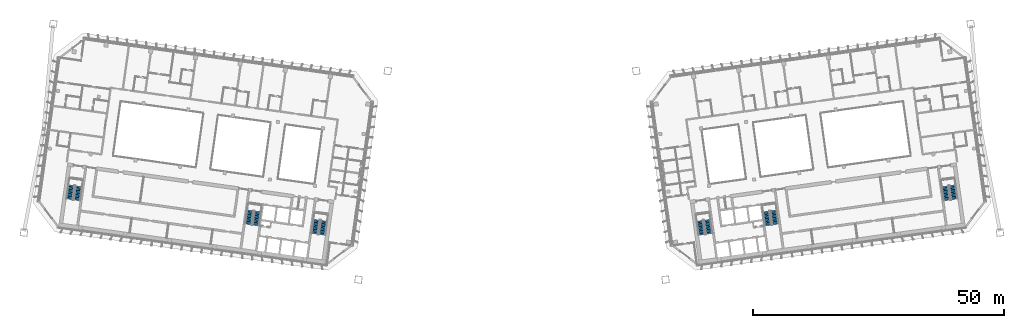
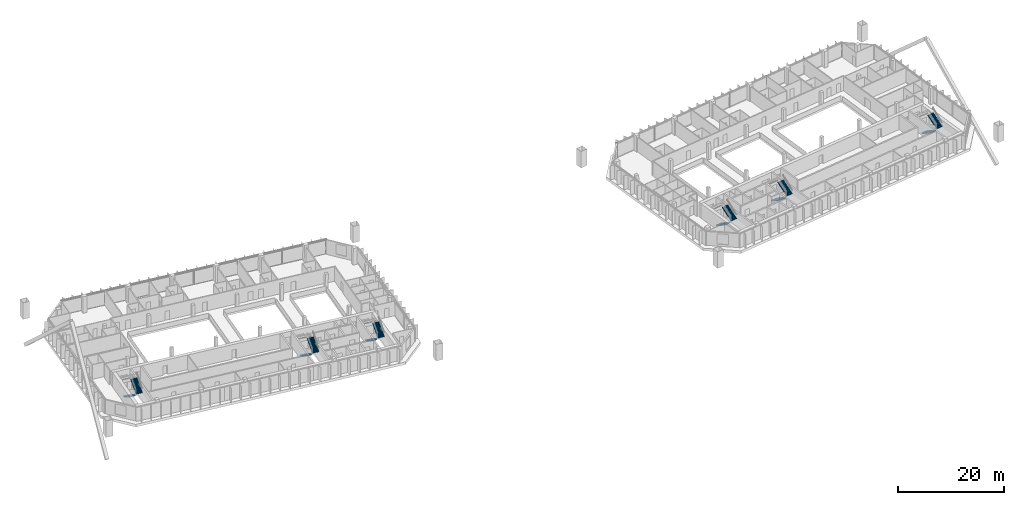
# One storey, part 25 of 28: 12 stair flights, 6 elements without a shape of their own.
"""IFC4 building model written with IfcOpenShell, lengths in metres."""

from ifc_helpers import new_model, si_unit, direction, frame, origin, place, context, subcontext, project, spatial, polyline, outline, extrude, material, type_object, element, aggregate, save


model = new_model("IFC4")

# Units and contexts
model_context = context("Model", 3, precision=1e-05, world=origin(), true_north=direction((0.0, 1.0)))
body_context = subcontext(model_context, "Body", "Model", "MODEL_VIEW")
ifc_project = project(units=[si_unit("LENGTHUNIT", "METRE"), si_unit("AREAUNIT", "SQUARE_METRE"), si_unit("VOLUMEUNIT", "CUBIC_METRE"), si_unit("PLANEANGLEUNIT", "RADIAN"), si_unit("MASSUNIT", "GRAM", prefix="KILO")], contexts=[model_context])

# Site, building, storey
site_placement = place(None, origin())
site = spatial("IfcSite", under=ifc_project, at=site_placement, CompositionType="ELEMENT")
building_placement = place(site_placement, origin())
building = spatial("IfcBuilding", under=site, at=building_placement, Name="Mirante Cascada Hotel Towers", CompositionType="ELEMENT")
storey_placement = place(building_placement, frame((0.0, 0.0, 165.0)))
storey = spatial("IfcBuildingStorey", under=building, at=storey_placement, Name="L38", CompositionType="ELEMENT", Elevation=165.0)

# Stair, stair flights
ifc_material_1 = material(Name="Concrete C35/45", Category="concrete")
stair_type = type_object("IfcStairType", Name="Exit stair half-turn 1350 concrete C35/45", PredefinedType="HALF_TURN_STAIR", material=ifc_material_1)
stair_1_placement = place(storey_placement, origin())
stair_1 = element("IfcStair", 1, at=stair_1_placement, inside=storey, type_object=stair_type, Name="L38 Exit stair A", PredefinedType="HALF_TURN_STAIR")
ifc_material_2 = material(Name="Concrete C35/45", Category="concrete")
stair_flight_type = type_object("IfcStairFlightType", Name="Exit stair flight 1350 concrete C35/45", PredefinedType="STRAIGHT", material=ifc_material_2)
stair_flight_1_placement = place(storey_placement, frame((-38.9417, -11.195, 0.0), z_axis=(0.0, 0.0, 1.0), x_axis=(-0.1391731, -0.9902681, 0.0)))
stair_flight_1 = element("IfcStairFlight", 2, at=stair_flight_1_placement, type_object=stair_flight_type, Name="ST1-A flight 1", NumberOfRisers=11, NumberOfTreads=10, PredefinedType="STRAIGHT", RiserHeight=0.172727273, TreadLength=0.28, context=body_context, shape_type="SweptSolid", body=[
    extrude(outline(polyline([(0.0, 0.0), (0.0, 0.1727), (0.28, 0.1727), (0.28, 0.3455), (0.56, 0.3455), (0.56, 0.5182), (0.84, 0.5182), (0.84, 0.6909), (1.12, 0.6909), (1.12, 0.8636), (1.4, 0.8636), (1.4, 1.0364), (1.68, 1.0364), (1.68, 1.2091), (1.96, 1.2091), (1.96, 1.3818), (2.24, 1.3818), (2.24, 1.5545), (2.52, 1.5545), (2.52, 1.7273), (2.8, 1.7273), (2.8, 1.9), (2.8, 1.551), (0.2857, 0.0), (0.0, 0.0)])), frame((0.0, 0.675, 0.0), z_axis=(0.0, -1.0, 0.0), x_axis=(1.0, 0.0, 0.0)), (0.0, 0.0, 1.0), 1.35),
])
stair_flight_2_placement = place(storey_placement, frame((-37.846, -14.1765, 1.9), z_axis=(0.0, 0.0, 1.0), x_axis=(0.1391731, 0.9902681, 0.0)))
stair_flight_2 = element("IfcStairFlight", 3, at=stair_flight_2_placement, type_object=stair_flight_type, Name="ST1-A flight 2", NumberOfRisers=11, NumberOfTreads=10, PredefinedType="STRAIGHT", RiserHeight=0.172727273, TreadLength=0.28, context=body_context, shape_type="SweptSolid", body=[
    extrude(outline(polyline([(0.0, 0.0), (0.0, 0.1727), (0.28, 0.1727), (0.28, 0.3455), (0.56, 0.3455), (0.56, 0.5182), (0.84, 0.5182), (0.84, 0.6909), (1.12, 0.6909), (1.12, 0.8636), (1.4, 0.8636), (1.4, 1.0364), (1.68, 1.0364), (1.68, 1.2091), (1.96, 1.2091), (1.96, 1.3818), (2.24, 1.3818), (2.24, 1.5545), (2.52, 1.5545), (2.52, 1.7273), (2.8, 1.7273), (2.8, 1.9), (2.8, 1.551), (0.2857, 0.0), (0.0, 0.0)])), frame((0.0, 0.675, 0.0), z_axis=(0.0, -1.0, 0.0), x_axis=(1.0, 0.0, 0.0)), (0.0, 0.0, 1.0), 1.35),
])
aggregate(stair_1, [stair_flight_1, stair_flight_2])

stair_2_placement = place(storey_placement, origin())
stair_2 = element("IfcStair", 4, at=stair_2_placement, inside=storey, type_object=stair_type, Name="L38 Exit stair B", PredefinedType="HALF_TURN_STAIR")
stair_flight_3_placement = place(storey_placement, frame((-52.1618, -9.3371, 0.0), z_axis=(0.0, 0.0, 1.0), x_axis=(-0.1391731, -0.9902681, 0.0)))
stair_flight_3 = element("IfcStairFlight", 5, at=stair_flight_3_placement, type_object=stair_flight_type, Name="ST1-B flight 1", NumberOfRisers=11, NumberOfTreads=10, PredefinedType="STRAIGHT", RiserHeight=0.172727273, TreadLength=0.28, context=body_context, shape_type="SweptSolid", body=[
    extrude(outline(polyline([(0.0, 0.0), (0.0, 0.1727), (0.28, 0.1727), (0.28, 0.3455), (0.56, 0.3455), (0.56, 0.5182), (0.84, 0.5182), (0.84, 0.6909), (1.12, 0.6909), (1.12, 0.8636), (1.4, 0.8636), (1.4, 1.0364), (1.68, 1.0364), (1.68, 1.2091), (1.96, 1.2091), (1.96, 1.3818), (2.24, 1.3818), (2.24, 1.5545), (2.52, 1.5545), (2.52, 1.7273), (2.8, 1.7273), (2.8, 1.9), (2.8, 1.551), (0.2857, 0.0), (0.0, 0.0)])), frame((0.0, 0.675, 0.0), z_axis=(0.0, -1.0, 0.0), x_axis=(1.0, 0.0, 0.0)), (0.0, 0.0, 1.0), 1.35),
])
stair_flight_4_placement = place(storey_placement, frame((-51.0661, -12.3186, 1.9), z_axis=(0.0, 0.0, 1.0), x_axis=(0.1391731, 0.9902681, 0.0)))
stair_flight_4 = element("IfcStairFlight", 6, at=stair_flight_4_placement, type_object=stair_flight_type, Name="ST1-B flight 2", NumberOfRisers=11, NumberOfTreads=10, PredefinedType="STRAIGHT", RiserHeight=0.172727273, TreadLength=0.28, context=body_context, shape_type="SweptSolid", body=[
    extrude(outline(polyline([(0.0, 0.0), (0.0, 0.1727), (0.28, 0.1727), (0.28, 0.3455), (0.56, 0.3455), (0.56, 0.5182), (0.84, 0.5182), (0.84, 0.6909), (1.12, 0.6909), (1.12, 0.8636), (1.4, 0.8636), (1.4, 1.0364), (1.68, 1.0364), (1.68, 1.2091), (1.96, 1.2091), (1.96, 1.3818), (2.24, 1.3818), (2.24, 1.5545), (2.52, 1.5545), (2.52, 1.7273), (2.8, 1.7273), (2.8, 1.9), (2.8, 1.551), (0.2857, 0.0), (0.0, 0.0)])), frame((0.0, 0.675, 0.0), z_axis=(0.0, -1.0, 0.0), x_axis=(1.0, 0.0, 0.0)), (0.0, 0.0, 1.0), 1.35),
])
aggregate(stair_2, [stair_flight_3, stair_flight_4])

stair_3_placement = place(storey_placement, origin())
stair_3 = element("IfcStair", 7, at=stair_3_placement, inside=storey, type_object=stair_type, Name="L38 Exit stair C", PredefinedType="HALF_TURN_STAIR")
stair_flight_5_placement = place(storey_placement, frame((-87.8115, -4.3268, 0.0), z_axis=(0.0, 0.0, 1.0), x_axis=(-0.1391731, -0.9902681, 0.0)))
stair_flight_5 = element("IfcStairFlight", 8, at=stair_flight_5_placement, type_object=stair_flight_type, Name="ST1-C flight 1", NumberOfRisers=11, NumberOfTreads=10, PredefinedType="STRAIGHT", RiserHeight=0.172727273, TreadLength=0.28, context=body_context, shape_type="SweptSolid", body=[
    extrude(outline(polyline([(0.0, 0.0), (0.0, 0.1727), (0.28, 0.1727), (0.28, 0.3455), (0.56, 0.3455), (0.56, 0.5182), (0.84, 0.5182), (0.84, 0.6909), (1.12, 0.6909), (1.12, 0.8636), (1.4, 0.8636), (1.4, 1.0364), (1.68, 1.0364), (1.68, 1.2091), (1.96, 1.2091), (1.96, 1.3818), (2.24, 1.3818), (2.24, 1.5545), (2.52, 1.5545), (2.52, 1.7273), (2.8, 1.7273), (2.8, 1.9), (2.8, 1.551), (0.2857, 0.0), (0.0, 0.0)])), frame((0.0, 0.675, 0.0), z_axis=(0.0, -1.0, 0.0), x_axis=(1.0, 0.0, 0.0)), (0.0, 0.0, 1.0), 1.35),
])
stair_flight_6_placement = place(storey_placement, frame((-86.7157, -7.3084, 1.9), z_axis=(0.0, 0.0, 1.0), x_axis=(0.1391731, 0.9902681, 0.0)))
stair_flight_6 = element("IfcStairFlight", 9, at=stair_flight_6_placement, type_object=stair_flight_type, Name="ST1-C flight 2", NumberOfRisers=11, NumberOfTreads=10, PredefinedType="STRAIGHT", RiserHeight=0.172727273, TreadLength=0.28, context=body_context, shape_type="SweptSolid", body=[
    extrude(outline(polyline([(0.0, 0.0), (0.0, 0.1727), (0.28, 0.1727), (0.28, 0.3455), (0.56, 0.3455), (0.56, 0.5182), (0.84, 0.5182), (0.84, 0.6909), (1.12, 0.6909), (1.12, 0.8636), (1.4, 0.8636), (1.4, 1.0364), (1.68, 1.0364), (1.68, 1.2091), (1.96, 1.2091), (1.96, 1.3818), (2.24, 1.3818), (2.24, 1.5545), (2.52, 1.5545), (2.52, 1.7273), (2.8, 1.7273), (2.8, 1.9), (2.8, 1.551), (0.2857, 0.0), (0.0, 0.0)])), frame((0.0, 0.675, 0.0), z_axis=(0.0, -1.0, 0.0), x_axis=(1.0, 0.0, 0.0)), (0.0, 0.0, 1.0), 1.35),
])
aggregate(stair_3, [stair_flight_5, stair_flight_6])

stair_4_placement = place(storey_placement, origin())
stair_4 = element("IfcStair", 10, at=stair_4_placement, inside=storey, type_object=stair_type, Name="L38 Exit stair A", PredefinedType="HALF_TURN_STAIR")
stair_flight_7_placement = place(storey_placement, frame((37.4563, -11.4038, 0.0), z_axis=(0.0, 0.0, 1.0), x_axis=(0.1391731, -0.9902681, 0.0)))
stair_flight_7 = element("IfcStairFlight", 11, at=stair_flight_7_placement, type_object=stair_flight_type, Name="ST2-A flight 1", NumberOfRisers=11, NumberOfTreads=10, PredefinedType="STRAIGHT", RiserHeight=0.172727273, TreadLength=0.28, context=body_context, shape_type="SweptSolid", body=[
    extrude(outline(polyline([(0.0, 0.0), (0.0, 0.1727), (0.28, 0.1727), (0.28, 0.3455), (0.56, 0.3455), (0.56, 0.5182), (0.84, 0.5182), (0.84, 0.6909), (1.12, 0.6909), (1.12, 0.8636), (1.4, 0.8636), (1.4, 1.0364), (1.68, 1.0364), (1.68, 1.2091), (1.96, 1.2091), (1.96, 1.3818), (2.24, 1.3818), (2.24, 1.5545), (2.52, 1.5545), (2.52, 1.7273), (2.8, 1.7273), (2.8, 1.9), (2.8, 1.551), (0.2857, 0.0), (0.0, 0.0)])), frame((0.0, 0.675, 0.0), z_axis=(0.0, -1.0, 0.0), x_axis=(1.0, 0.0, 0.0)), (0.0, 0.0, 1.0), 1.35),
])
stair_flight_8_placement = place(storey_placement, frame((39.3314, -13.9678, 1.9), z_axis=(0.0, 0.0, 1.0), x_axis=(-0.1391731, 0.9902681, 0.0)))
stair_flight_8 = element("IfcStairFlight", 12, at=stair_flight_8_placement, type_object=stair_flight_type, Name="ST2-A flight 2", NumberOfRisers=11, NumberOfTreads=10, PredefinedType="STRAIGHT", RiserHeight=0.172727273, TreadLength=0.28, context=body_context, shape_type="SweptSolid", body=[
    extrude(outline(polyline([(0.0, 0.0), (0.0, 0.1727), (0.28, 0.1727), (0.28, 0.3455), (0.56, 0.3455), (0.56, 0.5182), (0.84, 0.5182), (0.84, 0.6909), (1.12, 0.6909), (1.12, 0.8636), (1.4, 0.8636), (1.4, 1.0364), (1.68, 1.0364), (1.68, 1.2091), (1.96, 1.2091), (1.96, 1.3818), (2.24, 1.3818), (2.24, 1.5545), (2.52, 1.5545), (2.52, 1.7273), (2.8, 1.7273), (2.8, 1.9), (2.8, 1.551), (0.2857, 0.0), (0.0, 0.0)])), frame((0.0, 0.675, 0.0), z_axis=(0.0, -1.0, 0.0), x_axis=(1.0, 0.0, 0.0)), (0.0, 0.0, 1.0), 1.35),
])
aggregate(stair_4, [stair_flight_7, stair_flight_8])

stair_5_placement = place(storey_placement, origin())
stair_5 = element("IfcStair", 13, at=stair_5_placement, inside=storey, type_object=stair_type, Name="L38 Exit stair B", PredefinedType="HALF_TURN_STAIR")
stair_flight_9_placement = place(storey_placement, frame((50.6764, -9.5458, 0.0), z_axis=(0.0, 0.0, 1.0), x_axis=(0.1391731, -0.9902681, 0.0)))
stair_flight_9 = element("IfcStairFlight", 14, at=stair_flight_9_placement, type_object=stair_flight_type, Name="ST2-B flight 1", NumberOfRisers=11, NumberOfTreads=10, PredefinedType="STRAIGHT", RiserHeight=0.172727273, TreadLength=0.28, context=body_context, shape_type="SweptSolid", body=[
    extrude(outline(polyline([(0.0, 0.0), (0.0, 0.1727), (0.28, 0.1727), (0.28, 0.3455), (0.56, 0.3455), (0.56, 0.5182), (0.84, 0.5182), (0.84, 0.6909), (1.12, 0.6909), (1.12, 0.8636), (1.4, 0.8636), (1.4, 1.0364), (1.68, 1.0364), (1.68, 1.2091), (1.96, 1.2091), (1.96, 1.3818), (2.24, 1.3818), (2.24, 1.5545), (2.52, 1.5545), (2.52, 1.7273), (2.8, 1.7273), (2.8, 1.9), (2.8, 1.551), (0.2857, 0.0), (0.0, 0.0)])), frame((0.0, 0.675, 0.0), z_axis=(0.0, -1.0, 0.0), x_axis=(1.0, 0.0, 0.0)), (0.0, 0.0, 1.0), 1.35),
])
stair_flight_10_placement = place(storey_placement, frame((52.5515, -12.1098, 1.9), z_axis=(0.0, 0.0, 1.0), x_axis=(-0.1391731, 0.9902681, 0.0)))
stair_flight_10 = element("IfcStairFlight", 15, at=stair_flight_10_placement, type_object=stair_flight_type, Name="ST2-B flight 2", NumberOfRisers=11, NumberOfTreads=10, PredefinedType="STRAIGHT", RiserHeight=0.172727273, TreadLength=0.28, context=body_context, shape_type="SweptSolid", body=[
    extrude(outline(polyline([(0.0, 0.0), (0.0, 0.1727), (0.28, 0.1727), (0.28, 0.3455), (0.56, 0.3455), (0.56, 0.5182), (0.84, 0.5182), (0.84, 0.6909), (1.12, 0.6909), (1.12, 0.8636), (1.4, 0.8636), (1.4, 1.0364), (1.68, 1.0364), (1.68, 1.2091), (1.96, 1.2091), (1.96, 1.3818), (2.24, 1.3818), (2.24, 1.5545), (2.52, 1.5545), (2.52, 1.7273), (2.8, 1.7273), (2.8, 1.9), (2.8, 1.551), (0.2857, 0.0), (0.0, 0.0)])), frame((0.0, 0.675, 0.0), z_axis=(0.0, -1.0, 0.0), x_axis=(1.0, 0.0, 0.0)), (0.0, 0.0, 1.0), 1.35),
])
aggregate(stair_5, [stair_flight_9, stair_flight_10])

stair_6_placement = place(storey_placement, origin())
stair_6 = element("IfcStair", 16, at=stair_6_placement, inside=storey, type_object=stair_type, Name="L38 Exit stair C", PredefinedType="HALF_TURN_STAIR")
stair_flight_11_placement = place(storey_placement, frame((86.326, -4.5356, 0.0), z_axis=(0.0, 0.0, 1.0), x_axis=(0.1391731, -0.9902681, 0.0)))
stair_flight_11 = element("IfcStairFlight", 17, at=stair_flight_11_placement, type_object=stair_flight_type, Name="ST2-C flight 1", NumberOfRisers=11, NumberOfTreads=10, PredefinedType="STRAIGHT", RiserHeight=0.172727273, TreadLength=0.28, context=body_context, shape_type="SweptSolid", body=[
    extrude(outline(polyline([(0.0, 0.0), (0.0, 0.1727), (0.28, 0.1727), (0.28, 0.3455), (0.56, 0.3455), (0.56, 0.5182), (0.84, 0.5182), (0.84, 0.6909), (1.12, 0.6909), (1.12, 0.8636), (1.4, 0.8636), (1.4, 1.0364), (1.68, 1.0364), (1.68, 1.2091), (1.96, 1.2091), (1.96, 1.3818), (2.24, 1.3818), (2.24, 1.5545), (2.52, 1.5545), (2.52, 1.7273), (2.8, 1.7273), (2.8, 1.9), (2.8, 1.551), (0.2857, 0.0), (0.0, 0.0)])), frame((0.0, 0.675, 0.0), z_axis=(0.0, -1.0, 0.0), x_axis=(1.0, 0.0, 0.0)), (0.0, 0.0, 1.0), 1.35),
])
stair_flight_12_placement = place(storey_placement, frame((88.2011, -7.0996, 1.9), z_axis=(0.0, 0.0, 1.0), x_axis=(-0.1391731, 0.9902681, 0.0)))
stair_flight_12 = element("IfcStairFlight", 18, at=stair_flight_12_placement, type_object=stair_flight_type, Name="ST2-C flight 2", NumberOfRisers=11, NumberOfTreads=10, PredefinedType="STRAIGHT", RiserHeight=0.172727273, TreadLength=0.28, context=body_context, shape_type="SweptSolid", body=[
    extrude(outline(polyline([(0.0, 0.0), (0.0, 0.1727), (0.28, 0.1727), (0.28, 0.3455), (0.56, 0.3455), (0.56, 0.5182), (0.84, 0.5182), (0.84, 0.6909), (1.12, 0.6909), (1.12, 0.8636), (1.4, 0.8636), (1.4, 1.0364), (1.68, 1.0364), (1.68, 1.2091), (1.96, 1.2091), (1.96, 1.3818), (2.24, 1.3818), (2.24, 1.5545), (2.52, 1.5545), (2.52, 1.7273), (2.8, 1.7273), (2.8, 1.9), (2.8, 1.551), (0.2857, 0.0), (0.0, 0.0)])), frame((0.0, 0.675, 0.0), z_axis=(0.0, -1.0, 0.0), x_axis=(1.0, 0.0, 0.0)), (0.0, 0.0, 1.0), 1.35),
])
aggregate(stair_6, [stair_flight_11, stair_flight_12])

save(model, "model.ifc")
